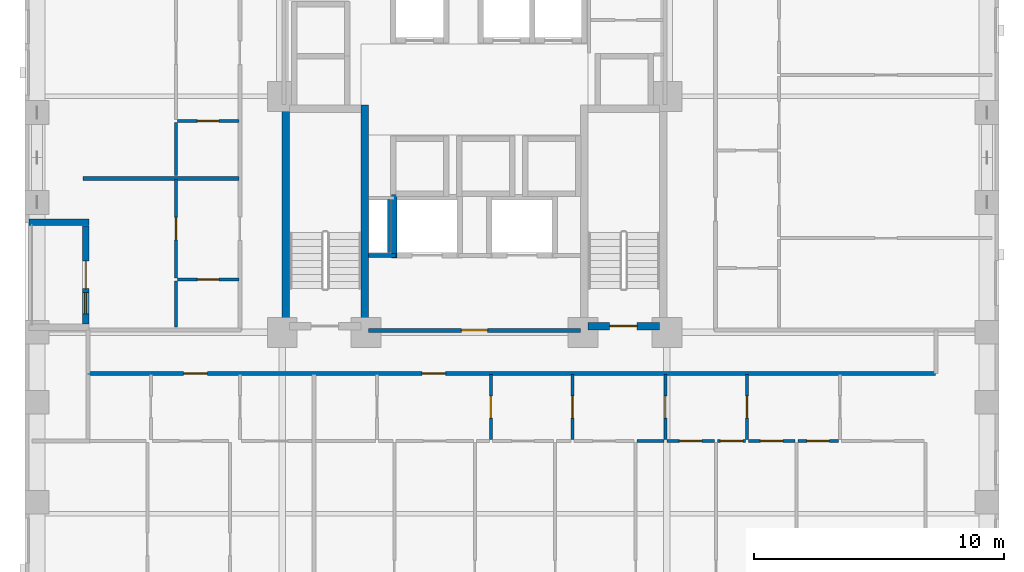
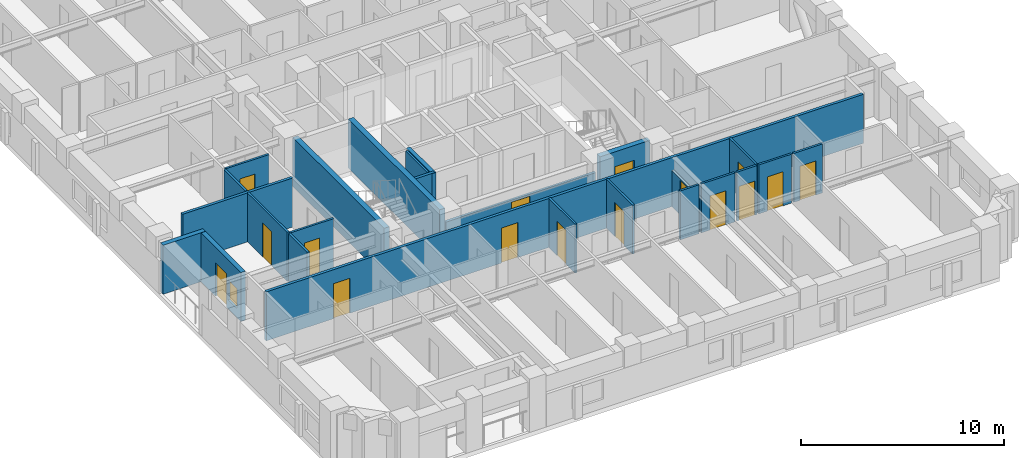
# One storey, part 4 of 14: 25 walls, 16 doors, 1 window, 17 openings.
"""IFC4 building model written with IfcOpenShell, lengths in metres."""

import ifcopenshell
import ifcopenshell.guid

model = None  # the IFC model being written
_history = None  # IfcOwnerHistory: only IFC2X3 demands one
_inside = {}  # id of a spatial element -> (the spatial element, [elements in it])
_under = {}  # id of a project, library or spatial element -> (it, [spatial elements below it])
_declared = {}  # id of a project -> (the project, [libraries it declares])
_typed = {}  # id of a type object -> (the type object, [elements of that type])
_made_of = {}  # id of a material, layer set ... -> (it, [elements and type objects made of it])


def new_model(schema):
    """Start an empty IFC model of exactly this schema.

    Asked for "IFC4X3", IfcOpenShell would pick the latest addendum, in which some entities
    have other attributes; the version numbers below select the first issue.
    IFC2X3 requires an IfcOwnerHistory on every rooted entity: one is made here for all.
    """
    global model, _history
    if schema == "IFC4X3":
        model = ifcopenshell.file(schema_version=(4, 3, 0, 0))
    else:
        model = ifcopenshell.file(schema=schema)
    _inside.clear()
    _under.clear()
    _declared.clear()
    _typed.clear()
    _made_of.clear()
    _history = None
    if model.schema == "IFC2X3":
        org = make("IfcOrganization", Name="unknown")
        user = make(
            "IfcPersonAndOrganization",
            ThePerson=make("IfcPerson", FamilyName="unknown"),
            TheOrganization=org,
        )
        app = make(
            "IfcApplication",
            ApplicationDeveloper=org,
            Version="unknown",
            ApplicationFullName="unknown",
            ApplicationIdentifier="unknown",
        )
        _history = make(
            "IfcOwnerHistory",
            OwningUser=user,
            OwningApplication=app,
            ChangeAction="ADDED",
            CreationDate=0,
        )
    return model


def make(cls, **values):
    """One entity of the class cls with the attributes given. An attribute that is None is left unset."""
    return model.create_entity(
        cls, **{name: value for name, value in values.items() if value is not None}
    )


def rooted(cls, **values):
    """An entity with a GlobalId (a new one), such as an element, a storey or a relation."""
    return make(cls, GlobalId=ifcopenshell.guid.new(), OwnerHistory=_history, **values)


def si_unit(unit_type, name, prefix=None):
    """IfcSIUnit, for example si_unit("LENGTHUNIT", "METRE", prefix="MILLI")."""
    return make("IfcSIUnit", UnitType=unit_type, Prefix=prefix, Name=name)


def derived_unit(unit_type, elements):
    """IfcDerivedUnit: a product of units, each with its exponent."""
    return make(
        "IfcDerivedUnit",
        Elements=[
            make("IfcDerivedUnitElement", Unit=unit, Exponent=power)
            for unit, power in elements
        ],
        UnitType=unit_type,
    )


def assignment(units):
    """IfcUnitAssignment: the units of a project."""
    return None if units is None else make("IfcUnitAssignment", Units=units)


def point(xyz):
    """IfcCartesianPoint."""
    return None if xyz is None else make("IfcCartesianPoint", Coordinates=xyz)


def direction(xyz):
    """IfcDirection."""
    return None if xyz is None else make("IfcDirection", DirectionRatios=xyz)


def frame(location, z_axis=None, x_axis=None):
    """IfcAxis2Placement3D, a coordinate frame: its origin and axes. An axis left out is left unset."""
    return make(
        "IfcAxis2Placement3D",
        Location=point(location),
        Axis=direction(z_axis),
        RefDirection=direction(x_axis),
    )


def frame_2d(location, x_axis=None):
    """IfcAxis2Placement2D, a coordinate frame in the plane: its origin and x axis."""
    return make(
        "IfcAxis2Placement2D", Location=point(location), RefDirection=direction(x_axis)
    )


def origin():
    """The frame at (0, 0, 0) with its axes left unset."""
    return frame((0.0, 0.0, 0.0))


def place(relative_to, where):
    """IfcLocalPlacement: puts the frame where relative to a parent placement (None: the world)."""
    return make(
        "IfcLocalPlacement", PlacementRelTo=relative_to, RelativePlacement=where
    )


def context(
    kind, dimensions, precision=None, world=None, true_north=None, identifier=None
):
    """IfcGeometricRepresentationContext, for example the 3D "Model" context."""
    return make(
        "IfcGeometricRepresentationContext",
        ContextIdentifier=identifier,
        ContextType=kind,
        CoordinateSpaceDimension=dimensions,
        Precision=precision,
        WorldCoordinateSystem=world,
        TrueNorth=true_north,
    )


def subcontext(parent, identifier, kind, view, scale=None):
    """IfcGeometricRepresentationSubContext, for example "Body" below "Model"."""
    return make(
        "IfcGeometricRepresentationSubContext",
        ContextIdentifier=identifier,
        ContextType=kind,
        ParentContext=parent,
        TargetScale=scale,
        TargetView=view,
    )


def project(units=None, contexts=None):
    """IfcProject with its units and contexts."""
    return rooted(
        "IfcProject",
        Name="project",
        RepresentationContexts=contexts,
        UnitsInContext=assignment(units),
    )


def spatial(cls, under=None, at=None, **own):
    """A site, building, storey or space (cls), placed at a placement, below another one or the project."""
    s = rooted(cls, ObjectPlacement=at, **own)
    if under is not None:
        _under.setdefault(under.id(), (under, []))[1].append(s)
    return s


def profile(cls, at=None, kind="AREA", **sizes):
    """A parametric profile (cls). Its sizes go by their IFC names, for example OverallWidth=200.0."""
    return make(cls, ProfileType=kind, Position=at, **sizes)


def rectangle(**sizes):
    """IfcRectangleProfileDef."""
    return profile("IfcRectangleProfileDef", **sizes)


def extrude(swept, where, along, depth):
    """IfcExtrudedAreaSolid: the profile swept, set in the frame where, extruded along a direction by depth."""
    return make(
        "IfcExtrudedAreaSolid",
        SweptArea=swept,
        Position=where,
        ExtrudedDirection=direction(along),
        Depth=depth,
    )


def shape(context_of_items, identifier, shape_type, items):
    """IfcShapeRepresentation: the items that make up one representation, for example the "Body"."""
    return make(
        "IfcShapeRepresentation",
        ContextOfItems=context_of_items,
        RepresentationIdentifier=identifier,
        RepresentationType=shape_type,
        Items=items,
    )


def material(Name=None, Category=None):
    """IfcMaterial."""
    return make("IfcMaterial", Name=Name, Category=Category)


def layer(
    of_material, thickness, ventilated=None, Name=None, Category=None, Priority=None
):
    """IfcMaterialLayer: one layer of a wall or slab, of a material (None: an air gap)."""
    return make(
        "IfcMaterialLayer",
        Material=of_material,
        LayerThickness=thickness,
        IsVentilated=ventilated,
        Name=Name,
        Category=Category,
        Priority=Priority,
    )


def layer_set(layers, Name=None):
    """IfcMaterialLayerSet."""
    return make("IfcMaterialLayerSet", MaterialLayers=layers, LayerSetName=Name)


def made_of(thing, what):
    """Note that an element or type object is made of a material, layer set ...; save() writes the relation."""
    if what is not None:
        _made_of.setdefault(what.id(), (what, []))[1].append(thing)
    return thing


def type_object(cls, material=None, **own):
    """A type object (cls), such as IfcWallType, which elements share."""
    return made_of(rooted(cls, **own), material)


def element(
    cls,
    number,
    at=None,
    inside=None,
    cuts=None,
    type_object=None,
    material=None,
    context=None,
    identifier="Body",
    shape_type=None,
    held_by="IfcProductDefinitionShape",
    body=None,
    shapes=None,
    **own,
):
    """One element of the class cls, such as IfcWall. Its Tag is "e" and its number.

    at: its placement. inside: the storey or other place that contains it. cuts: it is an
    opening in that element (IfcRelVoidsElement). A single representation is given by context,
    identifier, shape_type and body (its items); several are given by shapes. held_by: the class
    of the entity that holds the representations. save() writes the other relations.
    """
    e = rooted(cls, Tag="e%d" % number, ObjectPlacement=at, **own)
    if body is not None:
        shapes = [shape(context, identifier, shape_type, body)]
    if shapes is not None:
        e.Representation = make(held_by, Representations=shapes)
    if inside is not None:
        _inside.setdefault(inside.id(), (inside, []))[1].append(e)
    if cuts is not None:
        rooted(
            "IfcRelVoidsElement", RelatingBuildingElement=cuts, RelatedOpeningElement=e
        )
    if type_object is not None:
        _typed.setdefault(type_object.id(), (type_object, []))[1].append(e)
    return made_of(e, material)


def fill(opening, filler):
    """IfcRelFillsElement: the door or window that sits in an opening."""
    return rooted(
        "IfcRelFillsElement",
        RelatingOpeningElement=opening,
        RelatedBuildingElement=filler,
    )


def aggregate(whole, parts):
    """IfcRelAggregates: a whole, such as a stair, and the parts it consists of."""
    return rooted("IfcRelAggregates", RelatingObject=whole, RelatedObjects=parts)


def save(model, path):
    """Write the relations noted so far, then the file.

    IfcRelAggregates (storeys below a building ...), IfcRelContainedInSpatialStructure (elements
    in a storey), IfcRelDefinesByType, IfcRelAssociatesMaterial and IfcRelDeclares: one each for
    every whole, place, type object, material and project.
    """
    for whole, parts in _under.values():
        aggregate(whole, parts)
    for where, things in _inside.values():
        rooted(
            "IfcRelContainedInSpatialStructure",
            RelatedElements=things,
            RelatingStructure=where,
        )
    for kind, things in _typed.values():
        rooted("IfcRelDefinesByType", RelatedObjects=things, RelatingType=kind)
    for what, things in _made_of.values():
        rooted("IfcRelAssociatesMaterial", RelatedObjects=things, RelatingMaterial=what)
    for by, libraries in _declared.values():
        rooted("IfcRelDeclares", RelatingContext=by, RelatedDefinitions=libraries)
    model.write(path)


model = new_model("IFC4")

# Units and contexts
model_context = context("Model", 3, precision=1e-05, world=origin(), true_north=direction((0.0, 1.0)))
body_context = subcontext(model_context, "Body", "Model", "MODEL_VIEW")
ifc_project = project(units=[si_unit("LENGTHUNIT", "METRE"), si_unit("AREAUNIT", "SQUARE_METRE"), si_unit("VOLUMEUNIT", "CUBIC_METRE"), si_unit("PLANEANGLEUNIT", "RADIAN"), si_unit("MASSUNIT", "GRAM", prefix="KILO"), derived_unit("THERMALTRANSMITTANCEUNIT", [(si_unit("MASSUNIT", "GRAM", prefix="KILO"), 1), (si_unit("TIMEUNIT", "SECOND"), -3), (si_unit("THERMODYNAMICTEMPERATUREUNIT", "KELVIN"), -1)])], contexts=[model_context])

# Site, building, storey
site_placement = place(None, origin())
site = spatial("IfcSite", under=ifc_project, at=site_placement, CompositionType="ELEMENT")
building_placement = place(site_placement, origin())
building = spatial("IfcBuilding", under=site, at=building_placement, Name="Korrvale Station Residences", CompositionType="ELEMENT")
storey_placement = place(building_placement, frame((0.0, 0.0, 38.60009765625)))
storey = spatial("IfcBuildingStorey", under=building, at=storey_placement, Name="L09", CompositionType="ELEMENT", Elevation=38.60009765625)

# Walls
ifc_material_1 = material(Name="Concrete C70/85", Category="concrete")
ifc_layer_1 = layer(ifc_material_1, 0.300048828125, Name="Concrete C70/85")
ifc_layer_set_1 = layer_set([ifc_layer_1], Name="Concrete C70/85")
wall_type_1 = type_object("IfcWallType", Name="WAL-CORE-300-C70", PredefinedType="SHEAR", material=ifc_layer_set_1)
for number, where, z_axis, x_axis, name in (
    (1, (17.949951171875, 15.10009765625, 0.0), (0.0, 0.0, 1.0), (0.0, 1.0, 0.0), "L09 ST-1 Core Shear Wall West"),
    (2, (21.10009765625, 15.10009765625, 0.0), (0.0, 0.0, 1.0), (0.0, 1.0, 0.0), "L09 ST-1 Core Shear Wall East"),
):
    element("IfcWall", number, at=place(storey_placement, frame(where, z_axis=z_axis, x_axis=x_axis)), inside=storey, type_object=wall_type_1, Name=name, PredefinedType="SHEAR", context=body_context, shape_type="SweptSolid", body=[
        extrude(rectangle(XDim=9.0, YDim=0.300048828125, at=frame_2d((4.5, 0.0))), origin(), (0.0, 0.0, 1.0), 2.93994140625),
    ])

# Wall, opening, door
wall_1_placement = place(storey_placement, frame((30.050048828125, 15.25, 0.0), z_axis=(0.0, 0.0, 1.0), x_axis=(1.0, 0.0, 0.0)))
wall_1 = element("IfcWall", 3, at=wall_1_placement, inside=storey, type_object=wall_type_1, Name="L09 ST-2 Core Shear Wall South", PredefinedType="SHEAR", context=body_context, shape_type="SweptSolid", body=[
    extrude(rectangle(XDim=2.849853515625, YDim=0.300048828125, at=frame_2d((1.4248046875, 0.0))), origin(), (0.0, 0.0, 1.0), 2.93994140625),
])
opening_1_placement = place(wall_1_placement, frame((0.860107421875, 0.0, 0.0)))
opening_1 = element("IfcOpeningElement", 4, at=opening_1_placement, cuts=wall_1, Name="Opening SD-1100", PredefinedType="OPENING", context=body_context, shape_type="SweptSolid", body=[
    extrude(rectangle(XDim=1.10009765625, YDim=2.050048828125, at=frame_2d((0.550048828125, 1.02490234375))), frame((0.0, 0.16015625, 0.0), z_axis=(0.0, -1.0, 0.0), x_axis=(1.0, 0.0, 0.0)), (0.0, 0.0, 1.0), 0.320068359375),
])
ifc_material_2 = material(Name="Hollow-metal fire-rated stair door with closer", Category="steel")
door_type_1 = type_object("IfcDoorType", Name="DR-STAIR-1100", OperationType="NOTDEFINED", PredefinedType="DOOR", material=ifc_material_2)
door_1_placement = place(opening_1_placement, origin())
door_1 = element("IfcDoor", 5, at=door_1_placement, inside=storey, type_object=door_type_1, Name="L09 ST-2 Exit Stair Door", OperationType="SINGLE_SWING_RIGHT", OverallHeight=2.050048828125, OverallWidth=1.10009765625, PredefinedType="DOOR", context=body_context, shape_type="SweptSolid", body=[
    extrude(rectangle(XDim=1.10009765625, YDim=2.050048828125, at=frame_2d((0.550048828125, 1.02490234375))), frame((0.0, 0.02490234375, 0.0), z_axis=(0.0, -1.0, 0.0), x_axis=(1.0, 0.0, 0.0)), (0.0, 0.0, 1.0), 0.050048828125),
])
fill(opening_1, door_1)

# Wall, openings, door, window
ifc_material_3 = material(Name="Precast concrete C45/55", Category="concrete")
ifc_layer_2 = layer(ifc_material_3, 0.260009765625, Name="Precast concrete C45/55")
ifc_layer_set_2 = layer_set([ifc_layer_2], Name="Precast concrete C45/55")
wall_type_2 = type_object("IfcWallType", Name="WAL-EXT-LOG260", PredefinedType="SOLIDWALL", material=ifc_layer_set_2)
wall_2_placement = place(storey_placement, frame((9.929931640625, 15.333984375, 0.0), z_axis=(0.0, 0.0, 1.0), x_axis=(0.0, 1.0, 0.0)))
wall_2 = element("IfcWall", 6, at=wall_2_placement, inside=storey, type_object=wall_type_2, Name="L09 Recessed Loggia Wall BAL-L09-W1-B", PredefinedType="SOLIDWALL", context=body_context, shape_type="SweptSolid", body=[
    extrude(rectangle(XDim=3.93212890625, YDim=0.260009765625, at=frame_2d((1.966064453125, 0.0))), origin(), (0.0, 0.0, 1.0), 2.93994140625),
])
opening_2_placement = place(wall_2_placement, frame((1.416015625, 0.0, 0.0)))
opening_2 = element("IfcOpeningElement", 7, at=opening_2_placement, cuts=wall_2, Name="Opening BD-01", PredefinedType="OPENING", context=body_context, shape_type="SweptSolid", body=[
    extrude(rectangle(XDim=1.10009765625, YDim=2.0, at=frame_2d((0.550048828125, 1.0))), frame((0.0, 0.14013671875, 0.0), z_axis=(0.0, -1.0, 0.0), x_axis=(1.0, 0.0, 0.0)), (0.0, 0.0, 1.0), 0.280029296875),
])
opening_3_placement = place(wall_2_placement, frame((0.406005859375, 0.0, 0.550048828125)))
opening_3 = element("IfcOpeningElement", 8, at=opening_3_placement, cuts=wall_2, Name="Opening W-11", PredefinedType="OPENING", context=body_context, shape_type="SweptSolid", body=[
    extrude(rectangle(XDim=0.85009765625, YDim=1.199951171875, at=frame_2d((0.425048828125, 0.60009765625))), frame((0.0, 0.14013671875, 0.0), z_axis=(0.0, -1.0, 0.0), x_axis=(1.0, 0.0, 0.0)), (0.0, 0.0, 1.0), 0.280029296875),
])
ifc_material_4 = material(Name="Exterior thermally broken aluminium glazed balcony door", Category="aluminium")
door_type_2 = type_object("IfcDoorType", Name="DR-EXT-BAL", OperationType="NOTDEFINED", PredefinedType="DOOR", material=ifc_material_4)
door_2_placement = place(opening_2_placement, origin())
door_2 = element("IfcDoor", 9, at=door_2_placement, inside=storey, type_object=door_type_2, Name="L09 Loggia Balcony Door BAL-L09-W1", OperationType="SINGLE_SWING_LEFT", OverallHeight=2.0, OverallWidth=1.10009765625, PredefinedType="DOOR", context=body_context, shape_type="SweptSolid", body=[
    extrude(rectangle(XDim=1.10009765625, YDim=2.0, at=frame_2d((0.550048828125, 1.0))), frame((0.0, 0.02490234375, 0.0), z_axis=(0.0, -1.0, 0.0), x_axis=(1.0, 0.0, 0.0)), (0.0, 0.0, 1.0), 0.050048828125),
])
fill(opening_2, door_2)
ifc_material_5 = material(Name="Thermally broken aluminium frame with triple low-e glazing", Category="aluminium")
window_type = type_object("IfcWindowType", Name="WIN-W11", PartitioningType="SINGLE_PANEL", PredefinedType="WINDOW", material=ifc_material_5)
window_placement = place(opening_3_placement, origin())
window = element("IfcWindow", 10, at=window_placement, inside=storey, type_object=window_type, Name="L09 Punched Window 25", OverallHeight=1.199951171875, OverallWidth=0.85009765625, PartitioningType="SINGLE_PANEL", PredefinedType="WINDOW", context=body_context, shape_type="SweptSolid", body=[
    extrude(rectangle(XDim=0.85009765625, YDim=1.199951171875, at=frame_2d((0.425048828125, 0.60009765625))), frame((0.0, 0.030029296875, 0.0), z_axis=(0.0, -1.0, 0.0), x_axis=(1.0, 0.0, 0.0)), (0.0, 0.0, 1.0), 0.06005859375),
])
fill(opening_3, window)

# Walls
wall_3_placement = place(storey_placement, frame((10.06005859375, 19.39990234375, 0.0), z_axis=(0.0, 0.0, 1.0), x_axis=(-1.0, 0.0, 0.0)))
element("IfcWall", 11, at=wall_3_placement, inside=storey, type_object=wall_type_2, Name="L09 Recessed Loggia Wall BAL-L09-W1-R", PredefinedType="SOLIDWALL", context=body_context, shape_type="SweptSolid", body=[
    extrude(rectangle(XDim=2.400146484375, YDim=0.260009765625, at=frame_2d((1.2001953125, 0.0))), origin(), (0.0, 0.0, 1.0), 2.93994140625),
])
ifc_material_6 = material(Name="Acoustic steel-stud gypsum board partition", Category="steel")
ifc_layer_3 = layer(ifc_material_6, 0.1201171875, Name="Acoustic steel-stud gypsum board partition")
ifc_layer_set_3 = layer_set([ifc_layer_3], Name="Acoustic steel-stud gypsum board partition")
wall_type_3 = type_object("IfcWallType", Name="WAL-PART-125", PredefinedType="PARTITIONING", material=ifc_layer_set_3)
wall_4_placement = place(storey_placement, frame((22.080078125, 18.199951171875, 0.0), z_axis=(0.0, 0.0, 1.0), x_axis=(0.0, 1.0, 0.0)))
element("IfcWall", 12, at=wall_4_placement, inside=storey, type_object=wall_type_3, Name="L09 Core Partition CW-RSWT", PredefinedType="PARTITIONING", context=body_context, shape_type="SweptSolid", body=[
    extrude(rectangle(XDim=2.1201171875, YDim=0.1201171875, at=frame_2d((1.06005859375, 0.0))), origin(), (0.0, 0.0, 1.0), 2.93994140625),
])

# Wall, opening, door
wall_5_placement = place(storey_placement, frame((26.14990234375, 10.7099609375, 0.0), z_axis=(0.0, 0.0, 1.0), x_axis=(0.0, 1.0, 0.0)))
wall_5 = element("IfcWall", 13, at=wall_5_placement, inside=storey, type_object=wall_type_3, Name="L09 Suite Partition U02-V12", PredefinedType="PARTITIONING", context=body_context, shape_type="SweptSolid", body=[
    extrude(rectangle(XDim=2.60009765625, YDim=0.1201171875, at=frame_2d((1.300048828125, 0.0))), origin(), (0.0, 0.0, 1.0), 2.93994140625),
])
opening_4_placement = place(wall_5_placement, frame((0.85009765625, 0.0, 0.0)))
opening_4 = element("IfcOpeningElement", 14, at=opening_4_placement, cuts=wall_5, Name="Opening DI-900", PredefinedType="OPENING", context=body_context, shape_type="SweptSolid", body=[
    extrude(rectangle(XDim=0.89990234375, YDim=2.050048828125, at=frame_2d((0.449951171875, 1.02490234375))), frame((0.0, 0.070068359375, 0.0), z_axis=(0.0, -1.0, 0.0), x_axis=(1.0, 0.0, 0.0)), (0.0, 0.0, 1.0), 0.14013671875),
])
ifc_material_7 = material(Name="Painted solid-core timber interior room door", Category="wood")
door_type_3 = type_object("IfcDoorType", Name="DR-INT-900", OperationType="NOTDEFINED", PredefinedType="DOOR", material=ifc_material_7)
door_3_placement = place(opening_4_placement, origin())
door_3 = element("IfcDoor", 15, at=door_3_placement, inside=storey, type_object=door_type_3, Name="L09 Studio Apartment L09-U02 Kitchen Door", OperationType="SINGLE_SWING_LEFT", OverallHeight=2.050048828125, OverallWidth=0.89990234375, PredefinedType="DOOR", context=body_context, shape_type="SweptSolid", body=[
    extrude(rectangle(XDim=0.89990234375, YDim=2.050048828125, at=frame_2d((0.449951171875, 1.02490234375))), frame((0.0, 0.02490234375, 0.0), z_axis=(0.0, -1.0, 0.0), x_axis=(1.0, 0.0, 0.0)), (0.0, 0.0, 1.0), 0.050048828125),
])
fill(opening_4, door_3)

wall_6_placement = place(storey_placement, frame((29.419921875, 10.7099609375, 0.0), z_axis=(0.0, 0.0, 1.0), x_axis=(0.0, 1.0, 0.0)))
wall_6 = element("IfcWall", 16, at=wall_6_placement, inside=storey, type_object=wall_type_3, Name="L09 Suite Partition U02-V23", PredefinedType="PARTITIONING", context=body_context, shape_type="SweptSolid", body=[
    extrude(rectangle(XDim=2.60009765625, YDim=0.1201171875, at=frame_2d((1.300048828125, 0.0))), origin(), (0.0, 0.0, 1.0), 2.93994140625),
])
opening_5_placement = place(wall_6_placement, frame((0.85009765625, 0.0, 0.0)))
opening_5 = element("IfcOpeningElement", 17, at=opening_5_placement, cuts=wall_6, Name="Opening DI-900", PredefinedType="OPENING", context=body_context, shape_type="SweptSolid", body=[
    extrude(rectangle(XDim=0.89990234375, YDim=2.050048828125, at=frame_2d((0.449951171875, 1.02490234375))), frame((0.0, 0.070068359375, 0.0), z_axis=(0.0, -1.0, 0.0), x_axis=(1.0, 0.0, 0.0)), (0.0, 0.0, 1.0), 0.14013671875),
])
door_4_placement = place(opening_5_placement, origin())
door_4 = element("IfcDoor", 18, at=door_4_placement, inside=storey, type_object=door_type_3, Name="L09 Studio Apartment L09-U02 Utility and Laundry Room Door", OperationType="SINGLE_SWING_LEFT", OverallHeight=2.050048828125, OverallWidth=0.89990234375, PredefinedType="DOOR", context=body_context, shape_type="SweptSolid", body=[
    extrude(rectangle(XDim=0.89990234375, YDim=2.050048828125, at=frame_2d((0.449951171875, 1.02490234375))), frame((0.0, 0.02490234375, 0.0), z_axis=(0.0, -1.0, 0.0), x_axis=(1.0, 0.0, 0.0)), (0.0, 0.0, 1.0), 0.050048828125),
])
fill(opening_5, door_4)

wall_7_placement = place(storey_placement, frame((33.139892578125, 10.7099609375, 0.0), z_axis=(0.0, 0.0, 1.0), x_axis=(0.0, 1.0, 0.0)))
wall_7 = element("IfcWall", 19, at=wall_7_placement, inside=storey, type_object=wall_type_3, Name="L09 Suite Partition U02-V34", PredefinedType="PARTITIONING", context=body_context, shape_type="SweptSolid", body=[
    extrude(rectangle(XDim=2.60009765625, YDim=0.1201171875, at=frame_2d((1.300048828125, 0.0))), origin(), (0.0, 0.0, 1.0), 2.15478515625),
])
opening_6_placement = place(wall_7_placement, frame((0.85009765625, 0.0, 0.0)))
opening_6 = element("IfcOpeningElement", 20, at=opening_6_placement, cuts=wall_7, Name="Opening DI-900", PredefinedType="OPENING", context=body_context, shape_type="SweptSolid", body=[
    extrude(rectangle(XDim=0.89990234375, YDim=2.050048828125, at=frame_2d((0.449951171875, 1.02490234375))), frame((0.0, 0.070068359375, 0.0), z_axis=(0.0, -1.0, 0.0), x_axis=(1.0, 0.0, 0.0)), (0.0, 0.0, 1.0), 0.14013671875),
])
door_5_placement = place(opening_6_placement, origin())
door_5 = element("IfcDoor", 21, at=door_5_placement, inside=storey, type_object=door_type_3, Name="L09 Studio Apartment L09-U02 Storage Closet 2 Door", OperationType="SINGLE_SWING_LEFT", OverallHeight=2.050048828125, OverallWidth=0.89990234375, PredefinedType="DOOR", context=body_context, shape_type="SweptSolid", body=[
    extrude(rectangle(XDim=0.89990234375, YDim=2.050048828125, at=frame_2d((0.449951171875, 1.02490234375))), frame((0.0, 0.02490234375, 0.0), z_axis=(0.0, -1.0, 0.0), x_axis=(1.0, 0.0, 0.0)), (0.0, 0.0, 1.0), 0.050048828125),
])
fill(opening_6, door_5)

# Wall
wall_8_placement = place(storey_placement, frame((32.010009765625, 10.64990234375, 0.0), z_axis=(0.0, 0.0, 1.0), x_axis=(1.0, 0.0, 0.0)))
element("IfcWall", 22, at=wall_8_placement, inside=storey, type_object=wall_type_3, Name="L09 Suite Partition U02-H311", PredefinedType="PARTITIONING", context=body_context, shape_type="SweptSolid", body=[
    extrude(rectangle(XDim=1.070068359375, YDim=0.1201171875, at=frame_2d((0.53515625, 0.0))), origin(), (0.0, 0.0, 1.0), 2.93994140625),
])

# Wall, opening, door
wall_9_placement = place(storey_placement, frame((36.409912109375, 10.7099609375, 0.0), z_axis=(0.0, 0.0, 1.0), x_axis=(0.0, 1.0, 0.0)))
wall_9 = element("IfcWall", 23, at=wall_9_placement, inside=storey, type_object=wall_type_3, Name="L09 Suite Partition U02-V45", PredefinedType="PARTITIONING", context=body_context, shape_type="SweptSolid", body=[
    extrude(rectangle(XDim=2.60009765625, YDim=0.1201171875, at=frame_2d((1.300048828125, 0.0))), origin(), (0.0, 0.0, 1.0), 2.93994140625),
])
opening_7_placement = place(wall_9_placement, frame((0.85009765625, 0.0, 0.0)))
opening_7 = element("IfcOpeningElement", 24, at=opening_7_placement, cuts=wall_9, Name="Opening DI-900", PredefinedType="OPENING", context=body_context, shape_type="SweptSolid", body=[
    extrude(rectangle(XDim=0.89990234375, YDim=2.050048828125, at=frame_2d((0.449951171875, 1.02490234375))), frame((0.0, 0.070068359375, 0.0), z_axis=(0.0, -1.0, 0.0), x_axis=(1.0, 0.0, 0.0)), (0.0, 0.0, 1.0), 0.14013671875),
])
door_6_placement = place(opening_7_placement, origin())
door_6 = element("IfcDoor", 25, at=door_6_placement, inside=storey, type_object=door_type_3, Name="L09 Studio Apartment L09-U02 Storage Closet 3 Door", OperationType="SINGLE_SWING_LEFT", OverallHeight=2.050048828125, OverallWidth=0.89990234375, PredefinedType="DOOR", context=body_context, shape_type="SweptSolid", body=[
    extrude(rectangle(XDim=0.89990234375, YDim=2.050048828125, at=frame_2d((0.449951171875, 1.02490234375))), frame((0.0, 0.02490234375, 0.0), z_axis=(0.0, -1.0, 0.0), x_axis=(1.0, 0.0, 0.0)), (0.0, 0.0, 1.0), 0.050048828125),
])
fill(opening_7, door_6)

wall_10_placement = place(storey_placement, frame((33.199951171875, 10.64990234375, 0.0), z_axis=(0.0, 0.0, 1.0), x_axis=(1.0, 0.0, 0.0)))
wall_10 = element("IfcWall", 26, at=wall_10_placement, inside=storey, type_object=wall_type_3, Name="L09 Suite Partition U02-H411", PredefinedType="PARTITIONING", context=body_context, shape_type="SweptSolid", body=[
    extrude(rectangle(XDim=1.91015625, YDim=0.1201171875, at=frame_2d((0.955078125, 0.0))), origin(), (0.0, 0.0, 1.0), 2.93994140625),
])
opening_8_placement = place(wall_10_placement, frame((0.5048828125, 0.0, 0.0)))
opening_8 = element("IfcOpeningElement", 27, at=opening_8_placement, cuts=wall_10, Name="Opening DI-900", PredefinedType="OPENING", context=body_context, shape_type="SweptSolid", body=[
    extrude(rectangle(XDim=0.89990234375, YDim=2.050048828125, at=frame_2d((0.449951171875, 1.02490234375))), frame((0.0, 0.070068359375, 0.0), z_axis=(0.0, -1.0, 0.0), x_axis=(1.0, 0.0, 0.0)), (0.0, 0.0, 1.0), 0.14013671875),
])
door_7_placement = place(opening_8_placement, origin())
door_7 = element("IfcDoor", 28, at=door_7_placement, inside=storey, type_object=door_type_3, Name="L09 Studio Apartment L09-U02 Storage Closet 3 Door", OperationType="SINGLE_SWING_RIGHT", OverallHeight=2.050048828125, OverallWidth=0.89990234375, PredefinedType="DOOR", context=body_context, shape_type="SweptSolid", body=[
    extrude(rectangle(XDim=0.89990234375, YDim=2.050048828125, at=frame_2d((0.449951171875, 1.02490234375))), frame((0.0, 0.02490234375, 0.0), z_axis=(0.0, -1.0, 0.0), x_axis=(1.0, 0.0, 0.0)), (0.0, 0.0, 1.0), 0.050048828125),
])
fill(opening_8, door_7)

wall_11_placement = place(storey_placement, frame((35.22998046875, 10.64990234375, 0.0), z_axis=(0.0, 0.0, 1.0), x_axis=(1.0, 0.0, 0.0)))
wall_11 = element("IfcWall", 29, at=wall_11_placement, inside=storey, type_object=wall_type_3, Name="L09 Suite Partition U02-H412", PredefinedType="PARTITIONING", context=body_context, shape_type="SweptSolid", body=[
    extrude(rectangle(XDim=1.1201171875, YDim=0.1201171875, at=frame_2d((0.56005859375, 0.0))), origin(), (0.0, 0.0, 1.0), 2.93994140625),
])
opening_9_placement = place(wall_11_placement, frame((0.110107421875, 0.0, 0.0)))
opening_9 = element("IfcOpeningElement", 30, at=opening_9_placement, cuts=wall_11, Name="Opening DI-900", PredefinedType="OPENING", context=body_context, shape_type="SweptSolid", body=[
    extrude(rectangle(XDim=0.89990234375, YDim=2.050048828125, at=frame_2d((0.449951171875, 1.02490234375))), frame((0.0, 0.070068359375, 0.0), z_axis=(0.0, -1.0, 0.0), x_axis=(1.0, 0.0, 0.0)), (0.0, 0.0, 1.0), 0.14013671875),
])
door_8_placement = place(opening_9_placement, origin())
door_8 = element("IfcDoor", 31, at=door_8_placement, inside=storey, type_object=door_type_3, Name="L09 Studio Apartment L09-U02 Storage Closet 3 Door", OperationType="SINGLE_SWING_LEFT", OverallHeight=2.050048828125, OverallWidth=0.89990234375, PredefinedType="DOOR", context=body_context, shape_type="SweptSolid", body=[
    extrude(rectangle(XDim=0.89990234375, YDim=2.050048828125, at=frame_2d((0.449951171875, 1.02490234375))), frame((0.0, 0.02490234375, 0.0), z_axis=(0.0, -1.0, 0.0), x_axis=(1.0, 0.0, 0.0)), (0.0, 0.0, 1.0), 0.050048828125),
])
fill(opening_9, door_8)

wall_12_placement = place(storey_placement, frame((36.469970703125, 10.64990234375, 0.0), z_axis=(0.0, 0.0, 1.0), x_axis=(1.0, 0.0, 0.0)))
wall_12 = element("IfcWall", 32, at=wall_12_placement, inside=storey, type_object=wall_type_3, Name="L09 Suite Partition U02-H512", PredefinedType="PARTITIONING", context=body_context, shape_type="SweptSolid", body=[
    extrude(rectangle(XDim=1.860107421875, YDim=0.1201171875, at=frame_2d((0.93017578125, 0.0))), origin(), (0.0, 0.0, 1.0), 2.93994140625),
])
opening_10_placement = place(wall_12_placement, frame((0.47998046875, 0.0, 0.0)))
opening_10 = element("IfcOpeningElement", 33, at=opening_10_placement, cuts=wall_12, Name="Opening DI-900", PredefinedType="OPENING", context=body_context, shape_type="SweptSolid", body=[
    extrude(rectangle(XDim=0.89990234375, YDim=2.050048828125, at=frame_2d((0.449951171875, 1.02490234375))), frame((0.0, 0.070068359375, 0.0), z_axis=(0.0, -1.0, 0.0), x_axis=(1.0, 0.0, 0.0)), (0.0, 0.0, 1.0), 0.14013671875),
])
door_9_placement = place(opening_10_placement, origin())
door_9 = element("IfcDoor", 34, at=door_9_placement, inside=storey, type_object=door_type_3, Name="L09 Studio Apartment L09-U02 Storage Closet 4 Door", OperationType="SINGLE_SWING_LEFT", OverallHeight=2.050048828125, OverallWidth=0.89990234375, PredefinedType="DOOR", context=body_context, shape_type="SweptSolid", body=[
    extrude(rectangle(XDim=0.89990234375, YDim=2.050048828125, at=frame_2d((0.449951171875, 1.02490234375))), frame((0.0, 0.02490234375, 0.0), z_axis=(0.0, -1.0, 0.0), x_axis=(1.0, 0.0, 0.0)), (0.0, 0.0, 1.0), 0.050048828125),
])
fill(opening_10, door_9)

wall_13_placement = place(storey_placement, frame((38.449951171875, 10.64990234375, 0.0), z_axis=(0.0, 0.0, 1.0), x_axis=(1.0, 0.0, 0.0)))
wall_13 = element("IfcWall", 35, at=wall_13_placement, inside=storey, type_object=wall_type_3, Name="L09 Suite Partition U02-H513", PredefinedType="PARTITIONING", context=body_context, shape_type="SweptSolid", body=[
    extrude(rectangle(XDim=1.6201171875, YDim=0.1201171875, at=frame_2d((0.81005859375, 0.0))), origin(), (0.0, 0.0, 1.0), 2.93994140625),
])
opening_11_placement = place(wall_13_placement, frame((0.360107421875, 0.0, 0.0)))
opening_11 = element("IfcOpeningElement", 36, at=opening_11_placement, cuts=wall_13, Name="Opening DI-900", PredefinedType="OPENING", context=body_context, shape_type="SweptSolid", body=[
    extrude(rectangle(XDim=0.89990234375, YDim=2.050048828125, at=frame_2d((0.449951171875, 1.02490234375))), frame((0.0, 0.070068359375, 0.0), z_axis=(0.0, -1.0, 0.0), x_axis=(1.0, 0.0, 0.0)), (0.0, 0.0, 1.0), 0.14013671875),
])
door_10_placement = place(opening_11_placement, origin())
door_10 = element("IfcDoor", 37, at=door_10_placement, inside=storey, type_object=door_type_3, Name="L09 Studio Apartment L09-U02 Storage Closet 4 Door", OperationType="SINGLE_SWING_RIGHT", OverallHeight=2.050048828125, OverallWidth=0.89990234375, PredefinedType="DOOR", context=body_context, shape_type="SweptSolid", body=[
    extrude(rectangle(XDim=0.89990234375, YDim=2.050048828125, at=frame_2d((0.449951171875, 1.02490234375))), frame((0.0, 0.02490234375, 0.0), z_axis=(0.0, -1.0, 0.0), x_axis=(1.0, 0.0, 0.0)), (0.0, 0.0, 1.0), 0.050048828125),
])
fill(opening_11, door_10)

wall_14_placement = place(storey_placement, frame((13.610107421875, 17.1201171875, 0.0), z_axis=(0.0, 0.0, 1.0), x_axis=(1.0, 0.0, 0.0)))
wall_14 = element("IfcWall", 38, at=wall_14_placement, inside=storey, type_object=wall_type_3, Name="L09 Suite Partition U04-H01", PredefinedType="PARTITIONING", context=body_context, shape_type="SweptSolid", body=[
    extrude(rectangle(XDim=2.449951171875, YDim=0.1201171875, at=frame_2d((1.22509765625, 0.0))), origin(), (0.0, 0.0, 1.0), 2.93994140625),
])
opening_12_placement = place(wall_14_placement, frame((0.794921875, 0.0, 0.0)))
opening_12 = element("IfcOpeningElement", 39, at=opening_12_placement, cuts=wall_14, Name="Opening DB-860", PredefinedType="OPENING", context=body_context, shape_type="SweptSolid", body=[
    extrude(rectangle(XDim=0.860107421875, YDim=2.050048828125, at=frame_2d((0.43017578125, 1.02490234375))), frame((0.0, 0.070068359375, 0.0), z_axis=(0.0, -1.0, 0.0), x_axis=(1.0, 0.0, 0.0)), (0.0, 0.0, 1.0), 0.14013671875),
])
ifc_material_8 = material(Name="Moisture-resistant solid-core bathroom door", Category="timber")
door_type_4 = type_object("IfcDoorType", Name="DR-BATH-860", OperationType="NOTDEFINED", PredefinedType="DOOR", material=ifc_material_8)
door_11_placement = place(opening_12_placement, origin())
door_11 = element("IfcDoor", 40, at=door_11_placement, inside=storey, type_object=door_type_4, Name="L09 Studio Apartment L09-U04 Bathroom Door", OperationType="SINGLE_SWING_RIGHT", OverallHeight=2.050048828125, OverallWidth=0.860107421875, PredefinedType="DOOR", context=body_context, shape_type="SweptSolid", body=[
    extrude(rectangle(XDim=0.860107421875, YDim=2.050048828125, at=frame_2d((0.43017578125, 1.02490234375))), frame((0.0, 0.02490234375, 0.0), z_axis=(0.0, -1.0, 0.0), x_axis=(1.0, 0.0, 0.0)), (0.0, 0.0, 1.0), 0.050048828125),
])
fill(opening_12, door_11)

# Wall
wall_15_placement = place(storey_placement, frame((13.550048828125, 15.2099609375, 0.0), z_axis=(0.0, 0.0, 1.0), x_axis=(0.0, 1.0, 0.0)))
element("IfcWall", 41, at=wall_15_placement, inside=storey, type_object=wall_type_3, Name="L09 Suite Partition U04-V02", PredefinedType="PARTITIONING", context=body_context, shape_type="SweptSolid", body=[
    extrude(rectangle(XDim=1.85009765625, YDim=0.1201171875, at=frame_2d((0.925048828125, 0.0))), origin(), (0.0, 0.0, 1.0), 2.93994140625),
])

# Wall, opening, door
wall_16_placement = place(storey_placement, frame((13.550048828125, 17.179931640625, 0.0), z_axis=(0.0, 0.0, 1.0), x_axis=(0.0, 1.0, 0.0)))
wall_16 = element("IfcWall", 42, at=wall_16_placement, inside=storey, type_object=wall_type_3, Name="L09 Suite Partition U04-V12", PredefinedType="PARTITIONING", context=body_context, shape_type="SweptSolid", body=[
    extrude(rectangle(XDim=3.946044921875, YDim=0.1201171875, at=frame_2d((1.97314453125, 0.0))), origin(), (0.0, 0.0, 1.0), 2.93994140625),
])
opening_13_placement = place(wall_16_placement, frame((1.52294921875, 0.0, 0.0)))
opening_13 = element("IfcOpeningElement", 43, at=opening_13_placement, cuts=wall_16, Name="Opening DI-900", PredefinedType="OPENING", context=body_context, shape_type="SweptSolid", body=[
    extrude(rectangle(XDim=0.89990234375, YDim=2.050048828125, at=frame_2d((0.449951171875, 1.02490234375))), frame((0.0, 0.070068359375, 0.0), z_axis=(0.0, -1.0, 0.0), x_axis=(1.0, 0.0, 0.0)), (0.0, 0.0, 1.0), 0.14013671875),
])
door_12_placement = place(opening_13_placement, origin())
door_12 = element("IfcDoor", 44, at=door_12_placement, inside=storey, type_object=door_type_3, Name="L09 Studio Apartment L09-U04 Kitchen Door", OperationType="SINGLE_SWING_LEFT", OverallHeight=2.050048828125, OverallWidth=0.89990234375, PredefinedType="DOOR", context=body_context, shape_type="SweptSolid", body=[
    extrude(rectangle(XDim=0.89990234375, YDim=2.050048828125, at=frame_2d((0.449951171875, 1.02490234375))), frame((0.0, 0.02490234375, 0.0), z_axis=(0.0, -1.0, 0.0), x_axis=(1.0, 0.0, 0.0)), (0.0, 0.0, 1.0), 0.050048828125),
])
fill(opening_13, door_12)

wall_17_placement = place(storey_placement, frame((13.610107421875, 23.467041015625, 0.0), z_axis=(0.0, 0.0, 1.0), x_axis=(1.0, 0.0, 0.0)))
wall_17 = element("IfcWall", 45, at=wall_17_placement, inside=storey, type_object=wall_type_3, Name="L09 Suite Partition U05-H01", PredefinedType="PARTITIONING", context=body_context, shape_type="SweptSolid", body=[
    extrude(rectangle(XDim=2.449951171875, YDim=0.1201171875, at=frame_2d((1.22509765625, 0.0))), origin(), (0.0, 0.0, 1.0), 2.93994140625),
])
opening_14_placement = place(wall_17_placement, frame((0.794921875, 0.0, 0.0)))
opening_14 = element("IfcOpeningElement", 46, at=opening_14_placement, cuts=wall_17, Name="Opening DB-860", PredefinedType="OPENING", context=body_context, shape_type="SweptSolid", body=[
    extrude(rectangle(XDim=0.860107421875, YDim=2.050048828125, at=frame_2d((0.43017578125, 1.02490234375))), frame((0.0, 0.070068359375, 0.0), z_axis=(0.0, -1.0, 0.0), x_axis=(1.0, 0.0, 0.0)), (0.0, 0.0, 1.0), 0.14013671875),
])
door_13_placement = place(opening_14_placement, origin())
door_13 = element("IfcDoor", 47, at=door_13_placement, inside=storey, type_object=door_type_4, Name="L09 Studio Apartment L09-U05 Bathroom Door", OperationType="SINGLE_SWING_RIGHT", OverallHeight=2.050048828125, OverallWidth=0.860107421875, PredefinedType="DOOR", context=body_context, shape_type="SweptSolid", body=[
    extrude(rectangle(XDim=0.860107421875, YDim=2.050048828125, at=frame_2d((0.43017578125, 1.02490234375))), frame((0.0, 0.02490234375, 0.0), z_axis=(0.0, -1.0, 0.0), x_axis=(1.0, 0.0, 0.0)), (0.0, 0.0, 1.0), 0.050048828125),
])
fill(opening_14, door_13)

# Wall
wall_18_placement = place(storey_placement, frame((13.550048828125, 21.285888671875, 0.0), z_axis=(0.0, 0.0, 1.0), x_axis=(0.0, 1.0, 0.0)))
element("IfcWall", 48, at=wall_18_placement, inside=storey, type_object=wall_type_3, Name="L09 Suite Partition U05-V02", PredefinedType="PARTITIONING", context=body_context, shape_type="SweptSolid", body=[
    extrude(rectangle(XDim=2.12109375, YDim=0.1201171875, at=frame_2d((1.060546875, 0.0))), origin(), (0.0, 0.0, 1.0), 2.93994140625),
])

# Wall, opening, door
ifc_material_9 = material(Name="Fire-rated twin-stud gypsum and mineral wool shaftwall assembly", Category="gypsum")
ifc_layer_4 = layer(ifc_material_9, 0.159912109375, Name="Fire-rated twin-stud gypsum and mineral wool shaftwall assembly")
ifc_layer_set_4 = layer_set([ifc_layer_4], Name="Fire-rated twin-stud gypsum and mineral wool shaftwall assembly")
wall_type_4 = type_object("IfcWallType", Name="WAL-PART-200", PredefinedType="PARTITIONING", material=ifc_layer_set_4)
wall_19_placement = place(storey_placement, frame((21.25, 15.080078125, 0.0), z_axis=(0.0, 0.0, 1.0), x_axis=(1.0, 0.0, 0.0)))
wall_19 = element("IfcWall", 49, at=wall_19_placement, inside=storey, type_object=wall_type_4, Name="L09 Core Partition CW-FFL-S", PredefinedType="PARTITIONING", context=body_context, shape_type="SweptSolid", body=[
    extrude(rectangle(XDim=8.5, YDim=0.159912109375, at=frame_2d((4.25, 0.0))), origin(), (0.0, 0.0, 1.0), 2.15478515625),
])
opening_15_placement = place(wall_19_placement, frame((3.72509765625, 0.0, 0.0)))
opening_15 = element("IfcOpeningElement", 50, at=opening_15_placement, cuts=wall_19, Name="Opening FD-1050", PredefinedType="OPENING", context=body_context, shape_type="SweptSolid", body=[
    extrude(rectangle(XDim=1.050048828125, YDim=2.050048828125, at=frame_2d((0.52490234375, 1.02490234375))), frame((0.0, 0.08984375, 0.0), z_axis=(0.0, -1.0, 0.0), x_axis=(1.0, 0.0, 0.0)), (0.0, 0.0, 1.0), 0.179931640625),
])
ifc_material_10 = material(Name="Fire-rated mineral-core timber lobby door", Category="wood")
door_type_5 = type_object("IfcDoorType", Name="DR-CORE-1050", OperationType="NOTDEFINED", PredefinedType="DOOR", material=ifc_material_10)
door_14_placement = place(opening_15_placement, origin())
door_14 = element("IfcDoor", 51, at=door_14_placement, inside=storey, type_object=door_type_5, Name="L09 Firefighting Lobby Entry Door", OperationType="SINGLE_SWING_LEFT", OverallHeight=2.050048828125, OverallWidth=1.050048828125, PredefinedType="DOOR", context=body_context, shape_type="SweptSolid", body=[
    extrude(rectangle(XDim=1.050048828125, YDim=2.050048828125, at=frame_2d((0.52490234375, 1.02490234375))), frame((0.0, 0.02490234375, 0.0), z_axis=(0.0, -1.0, 0.0), x_axis=(1.0, 0.0, 0.0)), (0.0, 0.0, 1.0), 0.050048828125),
])
fill(opening_15, door_14)

# Walls
wall_20_placement = place(storey_placement, frame((21.25, 18.080078125, 0.0), z_axis=(0.0, 0.0, 1.0), x_axis=(1.0, 0.0, 0.0)))
element("IfcWall", 52, at=wall_20_placement, inside=storey, type_object=wall_type_4, Name="L09 Core Partition CW-FFL-N1", PredefinedType="PARTITIONING", context=body_context, shape_type="SweptSolid", body=[
    extrude(rectangle(XDim=1.10009765625, YDim=0.159912109375, at=frame_2d((0.550048828125, 0.0))), origin(), (0.0, 0.0, 1.0), 2.93994140625),
])
wall_21_placement = place(storey_placement, frame((9.820068359375, 21.166015625, 0.0), z_axis=(0.0, 0.0, 1.0), x_axis=(1.0, 0.0, 0.0)))
element("IfcWall", 53, at=wall_21_placement, inside=storey, type_object=wall_type_4, Name="L09 Demising Wall U04-N", PredefinedType="PARTITIONING", context=body_context, shape_type="SweptSolid", body=[
    extrude(rectangle(XDim=6.239990234375, YDim=0.159912109375, at=frame_2d((3.1201171875, 0.0))), origin(), (0.0, 0.0, 1.0), 2.93994140625),
])

# Wall, openings, doors
wall_22_placement = place(storey_placement, frame((10.050048828125, 13.35009765625, 0.0), z_axis=(0.0, 0.0, 1.0), x_axis=(1.0, 0.0, 0.0)))
wall_22 = element("IfcWall", 54, at=wall_22_placement, inside=storey, type_object=wall_type_4, Name="L09 Rated Corridor Wall S", PredefinedType="PARTITIONING", context=body_context, shape_type="SweptSolid", body=[
    extrude(rectangle(XDim=33.89990234375, YDim=0.159912109375, at=frame_2d((16.949951171875, 0.0))), origin(), (0.0, 0.0, 1.0), 2.93994140625),
])
opening_16_placement = place(wall_22_placement, frame((3.800048828125, 0.0, 0.0)))
opening_16 = element("IfcOpeningElement", 55, at=opening_16_placement, cuts=wall_22, Name="Opening UD-950", PredefinedType="OPENING", context=body_context, shape_type="SweptSolid", body=[
    extrude(rectangle(XDim=0.949951171875, YDim=2.10009765625, at=frame_2d((0.47509765625, 1.050048828125))), frame((0.0, 0.08984375, 0.0), z_axis=(0.0, -1.0, 0.0), x_axis=(1.0, 0.0, 0.0)), (0.0, 0.0, 1.0), 0.179931640625),
])
opening_17_placement = place(wall_22_placement, frame((13.344970703125, 0.0, 0.0)))
opening_17 = element("IfcOpeningElement", 56, at=opening_17_placement, cuts=wall_22, Name="Opening UD-950", PredefinedType="OPENING", context=body_context, shape_type="SweptSolid", body=[
    extrude(rectangle(XDim=0.949951171875, YDim=2.10009765625, at=frame_2d((0.47509765625, 1.050048828125))), frame((0.0, 0.08984375, 0.0), z_axis=(0.0, -1.0, 0.0), x_axis=(1.0, 0.0, 0.0)), (0.0, 0.0, 1.0), 0.179931640625),
])
ifc_material_11 = material(Name="Solid-core acoustic oak apartment entrance door", Category="timber")
door_type_6 = type_object("IfcDoorType", Name="DR-UNIT-950", OperationType="NOTDEFINED", PredefinedType="DOOR", material=ifc_material_11)
door_15_placement = place(opening_16_placement, origin())
door_15 = element("IfcDoor", 57, at=door_15_placement, inside=storey, type_object=door_type_6, Name="L09 Apartment L09-U01 Entrance Door", OperationType="SINGLE_SWING_LEFT", OverallHeight=2.10009765625, OverallWidth=0.949951171875, PredefinedType="DOOR", context=body_context, shape_type="SweptSolid", body=[
    extrude(rectangle(XDim=0.949951171875, YDim=2.10009765625, at=frame_2d((0.47509765625, 1.050048828125))), frame((0.0, 0.02490234375, 0.0), z_axis=(0.0, -1.0, 0.0), x_axis=(1.0, 0.0, 0.0)), (0.0, 0.0, 1.0), 0.050048828125),
])
fill(opening_16, door_15)
door_16_placement = place(opening_17_placement, origin())
door_16 = element("IfcDoor", 58, at=door_16_placement, inside=storey, type_object=door_type_6, Name="L09 Apartment L09-U02 Entrance Door", OperationType="SINGLE_SWING_RIGHT", OverallHeight=2.10009765625, OverallWidth=0.949951171875, PredefinedType="DOOR", context=body_context, shape_type="SweptSolid", body=[
    extrude(rectangle(XDim=0.949951171875, YDim=2.10009765625, at=frame_2d((0.47509765625, 1.050048828125))), frame((0.0, 0.02490234375, 0.0), z_axis=(0.0, -1.0, 0.0), x_axis=(1.0, 0.0, 0.0)), (0.0, 0.0, 1.0), 0.050048828125),
])
fill(opening_17, door_16)

# Wall
ifc_layer_5 = layer(ifc_material_1, 0.219970703125, Name="Concrete C70/85")
ifc_layer_set_5 = layer_set([ifc_layer_5], Name="Concrete C70/85")
wall_type_5 = type_object("IfcWallType", Name="WAL-SHAFT-220-C70", PredefinedType="SHEAR", material=ifc_layer_set_5)
wall_23_placement = place(storey_placement, frame((22.2900390625, 17.97998046875, 0.0), z_axis=(0.0, 0.0, 1.0), x_axis=(0.0, 1.0, 0.0)))
element("IfcWall", 59, at=wall_23_placement, inside=storey, type_object=wall_type_5, Name="L09 Elevator FFL-1 Hoistway Wall West", PredefinedType="SHEAR", context=body_context, shape_type="SweptSolid", body=[
    extrude(rectangle(XDim=2.5400390625, YDim=0.219970703125, at=frame_2d((1.27001953125, 0.0))), origin(), (0.0, 0.0, 1.0), 2.93994140625),
])

save(model, "model.ifc")
